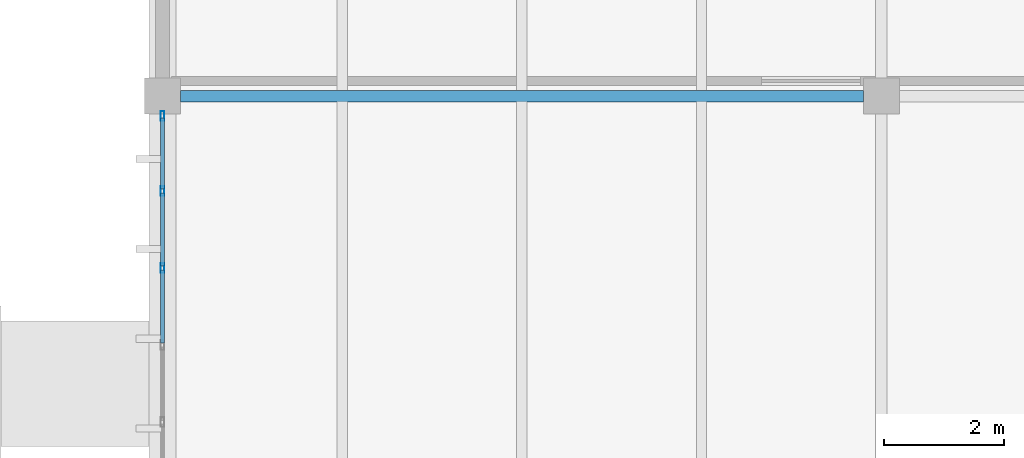
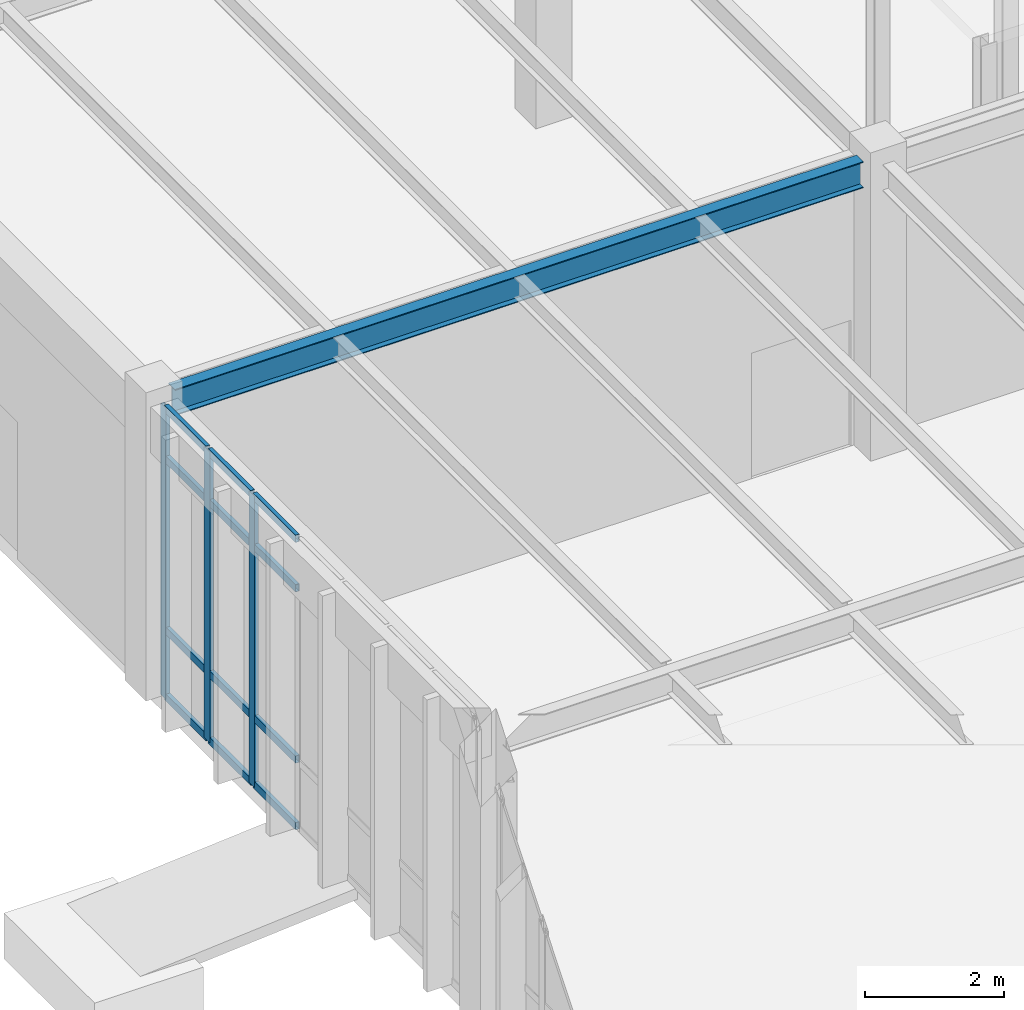
# One storey, part 91 of 188: 15 members, 1 beam, 1 element without a shape of its own.
"""IFC4 building model written with IfcOpenShell, lengths in metres."""

import ifcopenshell
import ifcopenshell.guid

model = None  # the IFC model being written
_history = None  # IfcOwnerHistory: only IFC2X3 demands one
_inside = {}  # id of a spatial element -> (the spatial element, [elements in it])
_under = {}  # id of a project, library or spatial element -> (it, [spatial elements below it])
_declared = {}  # id of a project -> (the project, [libraries it declares])
_typed = {}  # id of a type object -> (the type object, [elements of that type])
_made_of = {}  # id of a material, layer set ... -> (it, [elements and type objects made of it])


def new_model(schema):
    """Start an empty IFC model of exactly this schema.

    Asked for "IFC4X3", IfcOpenShell would pick the latest addendum, in which some entities
    have other attributes; the version numbers below select the first issue.
    IFC2X3 requires an IfcOwnerHistory on every rooted entity: one is made here for all.
    """
    global model, _history
    if schema == "IFC4X3":
        model = ifcopenshell.file(schema_version=(4, 3, 0, 0))
    else:
        model = ifcopenshell.file(schema=schema)
    _inside.clear()
    _under.clear()
    _declared.clear()
    _typed.clear()
    _made_of.clear()
    _history = None
    if model.schema == "IFC2X3":
        org = make("IfcOrganization", Name="unknown")
        user = make(
            "IfcPersonAndOrganization",
            ThePerson=make("IfcPerson", FamilyName="unknown"),
            TheOrganization=org,
        )
        app = make(
            "IfcApplication",
            ApplicationDeveloper=org,
            Version="unknown",
            ApplicationFullName="unknown",
            ApplicationIdentifier="unknown",
        )
        _history = make(
            "IfcOwnerHistory",
            OwningUser=user,
            OwningApplication=app,
            ChangeAction="ADDED",
            CreationDate=0,
        )
    return model


def make(cls, **values):
    """One entity of the class cls with the attributes given. An attribute that is None is left unset."""
    return model.create_entity(
        cls, **{name: value for name, value in values.items() if value is not None}
    )


def rooted(cls, **values):
    """An entity with a GlobalId (a new one), such as an element, a storey or a relation."""
    return make(cls, GlobalId=ifcopenshell.guid.new(), OwnerHistory=_history, **values)


def si_unit(unit_type, name, prefix=None):
    """IfcSIUnit, for example si_unit("LENGTHUNIT", "METRE", prefix="MILLI")."""
    return make("IfcSIUnit", UnitType=unit_type, Prefix=prefix, Name=name)


def assignment(units):
    """IfcUnitAssignment: the units of a project."""
    return None if units is None else make("IfcUnitAssignment", Units=units)


def point(xyz):
    """IfcCartesianPoint."""
    return None if xyz is None else make("IfcCartesianPoint", Coordinates=xyz)


def direction(xyz):
    """IfcDirection."""
    return None if xyz is None else make("IfcDirection", DirectionRatios=xyz)


def frame(location, z_axis=None, x_axis=None):
    """IfcAxis2Placement3D, a coordinate frame: its origin and axes. An axis left out is left unset."""
    return make(
        "IfcAxis2Placement3D",
        Location=point(location),
        Axis=direction(z_axis),
        RefDirection=direction(x_axis),
    )


def frame_2d(location, x_axis=None):
    """IfcAxis2Placement2D, a coordinate frame in the plane: its origin and x axis."""
    return make(
        "IfcAxis2Placement2D", Location=point(location), RefDirection=direction(x_axis)
    )


def origin():
    """The frame at (0, 0, 0) with its axes left unset."""
    return frame((0.0, 0.0, 0.0))


def origin_2d():
    """The frame at (0, 0) in the plane with its x axis left unset."""
    return frame_2d((0.0, 0.0))


def place(relative_to, where):
    """IfcLocalPlacement: puts the frame where relative to a parent placement (None: the world)."""
    return make(
        "IfcLocalPlacement", PlacementRelTo=relative_to, RelativePlacement=where
    )


def context(
    kind, dimensions, precision=None, world=None, true_north=None, identifier=None
):
    """IfcGeometricRepresentationContext, for example the 3D "Model" context."""
    return make(
        "IfcGeometricRepresentationContext",
        ContextIdentifier=identifier,
        ContextType=kind,
        CoordinateSpaceDimension=dimensions,
        Precision=precision,
        WorldCoordinateSystem=world,
        TrueNorth=true_north,
    )


def subcontext(parent, identifier, kind, view, scale=None):
    """IfcGeometricRepresentationSubContext, for example "Body" below "Model"."""
    return make(
        "IfcGeometricRepresentationSubContext",
        ContextIdentifier=identifier,
        ContextType=kind,
        ParentContext=parent,
        TargetScale=scale,
        TargetView=view,
    )


def project(units=None, contexts=None):
    """IfcProject with its units and contexts."""
    return rooted(
        "IfcProject",
        Name="project",
        RepresentationContexts=contexts,
        UnitsInContext=assignment(units),
    )


def spatial(cls, under=None, at=None, **own):
    """A site, building, storey or space (cls), placed at a placement, below another one or the project."""
    s = rooted(cls, ObjectPlacement=at, **own)
    if under is not None:
        _under.setdefault(under.id(), (under, []))[1].append(s)
    return s


def profile(cls, at=None, kind="AREA", **sizes):
    """A parametric profile (cls). Its sizes go by their IFC names, for example OverallWidth=200.0."""
    return make(cls, ProfileType=kind, Position=at, **sizes)


def hollow_rectangle(**sizes):
    """IfcRectangleHollowProfileDef."""
    return profile("IfcRectangleHollowProfileDef", **sizes)


def i_section(**sizes):
    """IfcIShapeProfileDef."""
    return profile("IfcIShapeProfileDef", **sizes)


def extrude(swept, where, along, depth):
    """IfcExtrudedAreaSolid: the profile swept, set in the frame where, extruded along a direction by depth."""
    return make(
        "IfcExtrudedAreaSolid",
        SweptArea=swept,
        Position=where,
        ExtrudedDirection=direction(along),
        Depth=depth,
    )


def shape(context_of_items, identifier, shape_type, items):
    """IfcShapeRepresentation: the items that make up one representation, for example the "Body"."""
    return make(
        "IfcShapeRepresentation",
        ContextOfItems=context_of_items,
        RepresentationIdentifier=identifier,
        RepresentationType=shape_type,
        Items=items,
    )


def material(Name=None, Category=None):
    """IfcMaterial."""
    return make("IfcMaterial", Name=Name, Category=Category)


def layer(
    of_material, thickness, ventilated=None, Name=None, Category=None, Priority=None
):
    """IfcMaterialLayer: one layer of a wall or slab, of a material (None: an air gap)."""
    return make(
        "IfcMaterialLayer",
        Material=of_material,
        LayerThickness=thickness,
        IsVentilated=ventilated,
        Name=Name,
        Category=Category,
        Priority=Priority,
    )


def layer_set(layers, Name=None):
    """IfcMaterialLayerSet."""
    return make("IfcMaterialLayerSet", MaterialLayers=layers, LayerSetName=Name)


def material_profile(
    of_material, cross_section, Name=None, Category=None, Priority=None
):
    """IfcMaterialProfile: a cross section and its material."""
    return make(
        "IfcMaterialProfile",
        Name=Name,
        Material=of_material,
        Profile=cross_section,
        Priority=Priority,
        Category=Category,
    )


def profile_set(profiles, Name=None, composite=None):
    """IfcMaterialProfileSet."""
    return make(
        "IfcMaterialProfileSet",
        Name=Name,
        MaterialProfiles=profiles,
        CompositeProfile=composite,
    )


def made_of(thing, what):
    """Note that an element or type object is made of a material, layer set ...; save() writes the relation."""
    if what is not None:
        _made_of.setdefault(what.id(), (what, []))[1].append(thing)
    return thing


def type_object(cls, material=None, **own):
    """A type object (cls), such as IfcWallType, which elements share."""
    return made_of(rooted(cls, **own), material)


def element(
    cls,
    number,
    at=None,
    inside=None,
    cuts=None,
    type_object=None,
    material=None,
    context=None,
    identifier="Body",
    shape_type=None,
    held_by="IfcProductDefinitionShape",
    body=None,
    shapes=None,
    **own,
):
    """One element of the class cls, such as IfcWall. Its Tag is "e" and its number.

    at: its placement. inside: the storey or other place that contains it. cuts: it is an
    opening in that element (IfcRelVoidsElement). A single representation is given by context,
    identifier, shape_type and body (its items); several are given by shapes. held_by: the class
    of the entity that holds the representations. save() writes the other relations.
    """
    e = rooted(cls, Tag="e%d" % number, ObjectPlacement=at, **own)
    if body is not None:
        shapes = [shape(context, identifier, shape_type, body)]
    if shapes is not None:
        e.Representation = make(held_by, Representations=shapes)
    if inside is not None:
        _inside.setdefault(inside.id(), (inside, []))[1].append(e)
    if cuts is not None:
        rooted(
            "IfcRelVoidsElement", RelatingBuildingElement=cuts, RelatedOpeningElement=e
        )
    if type_object is not None:
        _typed.setdefault(type_object.id(), (type_object, []))[1].append(e)
    return made_of(e, material)


def aggregate(whole, parts):
    """IfcRelAggregates: a whole, such as a stair, and the parts it consists of."""
    return rooted("IfcRelAggregates", RelatingObject=whole, RelatedObjects=parts)


def save(model, path):
    """Write the relations noted so far, then the file.

    IfcRelAggregates (storeys below a building ...), IfcRelContainedInSpatialStructure (elements
    in a storey), IfcRelDefinesByType, IfcRelAssociatesMaterial and IfcRelDeclares: one each for
    every whole, place, type object, material and project.
    """
    for whole, parts in _under.values():
        aggregate(whole, parts)
    for where, things in _inside.values():
        rooted(
            "IfcRelContainedInSpatialStructure",
            RelatedElements=things,
            RelatingStructure=where,
        )
    for kind, things in _typed.values():
        rooted("IfcRelDefinesByType", RelatedObjects=things, RelatingType=kind)
    for what, things in _made_of.values():
        rooted("IfcRelAssociatesMaterial", RelatedObjects=things, RelatingMaterial=what)
    for by, libraries in _declared.values():
        rooted("IfcRelDeclares", RelatingContext=by, RelatedDefinitions=libraries)
    model.write(path)


model = new_model("IFC4")

# Units and contexts
model_context = context("Model", 3, precision=1e-05, world=origin(), true_north=direction((0.0, 1.0)))
body_context = subcontext(model_context, "Body", "Model", "MODEL_VIEW")
ifc_project = project(units=[si_unit("LENGTHUNIT", "METRE"), si_unit("AREAUNIT", "SQUARE_METRE"), si_unit("VOLUMEUNIT", "CUBIC_METRE"), si_unit("PLANEANGLEUNIT", "RADIAN"), si_unit("MASSUNIT", "GRAM", prefix="KILO")], contexts=[model_context])

# Site, building, storey
site_placement = place(None, origin())
site = spatial("IfcSite", under=ifc_project, at=site_placement, CompositionType="ELEMENT")
building_placement = place(site_placement, origin())
building = spatial("IfcBuilding", under=site, at=building_placement, Name="Pandanus Reach Market Hall", CompositionType="ELEMENT")
storey_placement = place(building_placement, origin())
storey = spatial("IfcBuildingStorey", under=building, at=storey_placement, Name="L00", CompositionType="ELEMENT", Elevation=0.0)

# Beam
ifc_material_1 = material(Name="Steel Grade 350 (350 MPa)", Category="steel")
ifc_material_profile_1 = material_profile(ifc_material_1, i_section(OverallWidth=0.19091796875, OverallDepth=0.4599609375, WebThickness=0.010009765625, FlangeThickness=0.01611328125, at=origin_2d()), Name="460UB82.1", Category="LoadBearing")
ifc_profile_set_1 = profile_set([ifc_material_profile_1], Name="Steel Grade 350 (350 MPa)")
beam_type = type_object("IfcBeamType", Name="BM-UB460H-I", PredefinedType="BEAM", material=ifc_profile_set_1)
beam_placement = place(storey_placement, frame((144.298095703125, 19.199951171875, 4.89453125), z_axis=(1.0, 0.0, 0.0), x_axis=(0.0, 1.0, 0.0)))
element("IfcBeam", 1, at=beam_placement, inside=storey, type_object=beam_type, Name="Framing beam BM-UB460H-I L00.161", PredefinedType="BEAM", context=body_context, shape_type="SweptSolid", body=[
    extrude(i_section(OverallWidth=0.19091796875, OverallDepth=0.4599609375, WebThickness=0.010009765625, FlangeThickness=0.01611328125, at=origin_2d()), origin(), (0.0, 0.0, 1.0), 11.40380859375),
])

# Curtain wall, members
ifc_material_2 = material(Name="Bronze anodised aluminium and low-E glass", Category="aluminium")
ifc_layer = layer(ifc_material_2, 0.159912109375, Name="CW-26")
ifc_layer_set = layer_set([ifc_layer], Name="Bronze anodised aluminium and low-E glass")
curtain_wall_type = type_object("IfcCurtainWallType", Name="CW-26", PredefinedType="NOTDEFINED", material=ifc_layer_set)
curtain_wall_placement = place(storey_placement, origin())
curtain_wall = element("IfcCurtainWall", 2, at=curtain_wall_placement, inside=storey, type_object=curtain_wall_type, Name="Glazed curtain wall CW-26 CW-0076", PredefinedType="NOTDEFINED")
ifc_material_3 = material(Name="Bronze anodised aluminium", Category="aluminium")
ifc_material_profile_2 = material_profile(ifc_material_3, hollow_rectangle(XDim=0.06494140625, YDim=0.159912109375, WallThickness=0.00390625, at=origin_2d()), Name="ALU65x160", Category="LoadBearing")
ifc_profile_set_2 = profile_set([ifc_material_profile_2], Name="Bronze anodised aluminium")
member_type_1 = type_object("IfcMemberType", Name="CW-M1", PredefinedType="MULLION", material=ifc_profile_set_2)
member_1_placement = place(storey_placement, frame((144.0, 16.32861328125, 0.0), z_axis=(0.0, 0.0, 1.0), x_axis=(-1.0, 0.0, 0.0)))
member_1 = element("IfcMember", 3, at=member_1_placement, type_object=member_type_1, Name="CW-26 mullion 6", PredefinedType="MULLION", context=body_context, shape_type="SweptSolid", body=[
    extrude(hollow_rectangle(XDim=0.06494140625, YDim=0.159912109375, WallThickness=0.00390625, at=origin_2d()), origin(), (0.0, 0.0, 1.0), 5.10009765625),
])
member_2_placement = place(storey_placement, frame((144.0, 17.6142578125, 0.0), z_axis=(0.0, 0.0, 1.0), x_axis=(-1.0, 0.0, 0.0)))
member_2 = element("IfcMember", 4, at=member_2_placement, type_object=member_type_1, Name="CW-26 mullion 7", PredefinedType="MULLION", context=body_context, shape_type="SweptSolid", body=[
    extrude(hollow_rectangle(XDim=0.06494140625, YDim=0.159912109375, WallThickness=0.00390625, at=origin_2d()), origin(), (0.0, 0.0, 1.0), 5.10009765625),
])
member_3_placement = place(storey_placement, frame((144.0, 18.867431640625, 0.0), z_axis=(0.0, 0.0, 1.0), x_axis=(-1.0, 0.0, 0.0)))
member_3 = element("IfcMember", 5, at=member_3_placement, type_object=member_type_1, Name="CW-26 mullion 8", PredefinedType="MULLION", context=body_context, shape_type="SweptSolid", body=[
    extrude(hollow_rectangle(XDim=0.06494140625, YDim=0.159912109375, WallThickness=0.00390625, at=origin_2d()), origin(), (0.0, 0.0, 1.0), 5.10009765625),
])
ifc_material_profile_3 = material_profile(ifc_material_3, hollow_rectangle(XDim=0.06494140625, YDim=0.1298828125, WallThickness=0.00390625, at=origin_2d()), Name="ALU65x130", Category="LoadBearing")
ifc_profile_set_3 = profile_set([ifc_material_profile_3], Name="Bronze anodised aluminium")
member_type_2 = type_object("IfcMemberType", Name="CW-T1", PredefinedType="USERDEFINED", material=ifc_profile_set_3)
member_4_placement = place(storey_placement, frame((144.0, 15.075439453125, 0.032470703125), z_axis=(0.0, 1.0, 0.0), x_axis=(-1.0, 0.0, 0.0)))
member_4 = element("IfcMember", 6, at=member_4_placement, type_object=member_type_2, Name="CW-26 transom 5.1", ObjectType="TRANSOM", PredefinedType="USERDEFINED", context=body_context, shape_type="SweptSolid", body=[
    extrude(hollow_rectangle(XDim=0.06494140625, YDim=0.1298828125, WallThickness=0.00390625, at=origin_2d()), origin(), (0.0, 0.0, 1.0), 1.220703125),
])
member_5_placement = place(storey_placement, frame((144.0, 15.075439453125, 1.199951171875), z_axis=(0.0, 1.0, 0.0), x_axis=(-1.0, 0.0, 0.0)))
member_5 = element("IfcMember", 7, at=member_5_placement, type_object=member_type_2, Name="CW-26 transom 5.2", ObjectType="TRANSOM", PredefinedType="USERDEFINED", context=body_context, shape_type="SweptSolid", body=[
    extrude(hollow_rectangle(XDim=0.06494140625, YDim=0.1298828125, WallThickness=0.00390625, at=origin_2d()), origin(), (0.0, 0.0, 1.0), 1.220703125),
])
member_6_placement = place(storey_placement, frame((144.0, 15.075439453125, 4.199951171875), z_axis=(0.0, 1.0, 0.0), x_axis=(-1.0, 0.0, 0.0)))
member_6 = element("IfcMember", 8, at=member_6_placement, type_object=member_type_2, Name="CW-26 transom 5.3", ObjectType="TRANSOM", PredefinedType="USERDEFINED", context=body_context, shape_type="SweptSolid", body=[
    extrude(hollow_rectangle(XDim=0.06494140625, YDim=0.1298828125, WallThickness=0.00390625, at=origin_2d()), origin(), (0.0, 0.0, 1.0), 1.220703125),
])
member_7_placement = place(storey_placement, frame((144.0, 15.075439453125, 5.0673828125), z_axis=(0.0, 1.0, 0.0), x_axis=(-1.0, 0.0, 0.0)))
member_7 = element("IfcMember", 9, at=member_7_placement, type_object=member_type_2, Name="CW-26 transom 5.4", ObjectType="TRANSOM", PredefinedType="USERDEFINED", context=body_context, shape_type="SweptSolid", body=[
    extrude(hollow_rectangle(XDim=0.06494140625, YDim=0.1298828125, WallThickness=0.00390625, at=origin_2d()), origin(), (0.0, 0.0, 1.0), 1.220703125),
])
member_8_placement = place(storey_placement, frame((144.0, 16.361083984375, 0.032470703125), z_axis=(0.0, 1.0, 0.0), x_axis=(-1.0, 0.0, 0.0)))
member_8 = element("IfcMember", 10, at=member_8_placement, type_object=member_type_2, Name="CW-26 transom 6.1", ObjectType="TRANSOM", PredefinedType="USERDEFINED", context=body_context, shape_type="SweptSolid", body=[
    extrude(hollow_rectangle(XDim=0.06494140625, YDim=0.1298828125, WallThickness=0.00390625, at=origin_2d()), origin(), (0.0, 0.0, 1.0), 1.220703125),
])
member_9_placement = place(storey_placement, frame((144.0, 16.361083984375, 1.199951171875), z_axis=(0.0, 1.0, 0.0), x_axis=(-1.0, 0.0, 0.0)))
member_9 = element("IfcMember", 11, at=member_9_placement, type_object=member_type_2, Name="CW-26 transom 6.2", ObjectType="TRANSOM", PredefinedType="USERDEFINED", context=body_context, shape_type="SweptSolid", body=[
    extrude(hollow_rectangle(XDim=0.06494140625, YDim=0.1298828125, WallThickness=0.00390625, at=origin_2d()), origin(), (0.0, 0.0, 1.0), 1.220703125),
])
member_10_placement = place(storey_placement, frame((144.0, 16.361083984375, 4.199951171875), z_axis=(0.0, 1.0, 0.0), x_axis=(-1.0, 0.0, 0.0)))
member_10 = element("IfcMember", 12, at=member_10_placement, type_object=member_type_2, Name="CW-26 transom 6.3", ObjectType="TRANSOM", PredefinedType="USERDEFINED", context=body_context, shape_type="SweptSolid", body=[
    extrude(hollow_rectangle(XDim=0.06494140625, YDim=0.1298828125, WallThickness=0.00390625, at=origin_2d()), origin(), (0.0, 0.0, 1.0), 1.220703125),
])
member_11_placement = place(storey_placement, frame((144.0, 16.361083984375, 5.0673828125), z_axis=(0.0, 1.0, 0.0), x_axis=(-1.0, 0.0, 0.0)))
member_11 = element("IfcMember", 13, at=member_11_placement, type_object=member_type_2, Name="CW-26 transom 6.4", ObjectType="TRANSOM", PredefinedType="USERDEFINED", context=body_context, shape_type="SweptSolid", body=[
    extrude(hollow_rectangle(XDim=0.06494140625, YDim=0.1298828125, WallThickness=0.00390625, at=origin_2d()), origin(), (0.0, 0.0, 1.0), 1.220703125),
])
member_12_placement = place(storey_placement, frame((144.0, 17.646728515625, 0.032470703125), z_axis=(0.0, 1.0, 0.0), x_axis=(-1.0, 0.0, 0.0)))
member_12 = element("IfcMember", 14, at=member_12_placement, type_object=member_type_2, Name="CW-26 transom 7.1", ObjectType="TRANSOM", PredefinedType="USERDEFINED", context=body_context, shape_type="SweptSolid", body=[
    extrude(hollow_rectangle(XDim=0.06494140625, YDim=0.1298828125, WallThickness=0.00390625, at=origin_2d()), origin(), (0.0, 0.0, 1.0), 1.188232421875),
])
member_13_placement = place(storey_placement, frame((144.0, 17.646728515625, 1.199951171875), z_axis=(0.0, 1.0, 0.0), x_axis=(-1.0, 0.0, 0.0)))
member_13 = element("IfcMember", 15, at=member_13_placement, type_object=member_type_2, Name="CW-26 transom 7.2", ObjectType="TRANSOM", PredefinedType="USERDEFINED", context=body_context, shape_type="SweptSolid", body=[
    extrude(hollow_rectangle(XDim=0.06494140625, YDim=0.1298828125, WallThickness=0.00390625, at=origin_2d()), origin(), (0.0, 0.0, 1.0), 1.188232421875),
])
member_14_placement = place(storey_placement, frame((144.0, 17.646728515625, 4.199951171875), z_axis=(0.0, 1.0, 0.0), x_axis=(-1.0, 0.0, 0.0)))
member_14 = element("IfcMember", 16, at=member_14_placement, type_object=member_type_2, Name="CW-26 transom 7.3", ObjectType="TRANSOM", PredefinedType="USERDEFINED", context=body_context, shape_type="SweptSolid", body=[
    extrude(hollow_rectangle(XDim=0.06494140625, YDim=0.1298828125, WallThickness=0.00390625, at=origin_2d()), origin(), (0.0, 0.0, 1.0), 1.188232421875),
])
member_15_placement = place(storey_placement, frame((144.0, 17.646728515625, 5.0673828125), z_axis=(0.0, 1.0, 0.0), x_axis=(-1.0, 0.0, 0.0)))
member_15 = element("IfcMember", 17, at=member_15_placement, type_object=member_type_2, Name="CW-26 transom 7.4", ObjectType="TRANSOM", PredefinedType="USERDEFINED", context=body_context, shape_type="SweptSolid", body=[
    extrude(hollow_rectangle(XDim=0.06494140625, YDim=0.1298828125, WallThickness=0.00390625, at=origin_2d()), origin(), (0.0, 0.0, 1.0), 1.188232421875),
])
aggregate(curtain_wall, [member_1, member_2, member_3, member_4, member_5, member_6, member_7, member_8, member_9, member_10, member_11, member_12, member_13, member_14, member_15])

save(model, "model.ifc")
